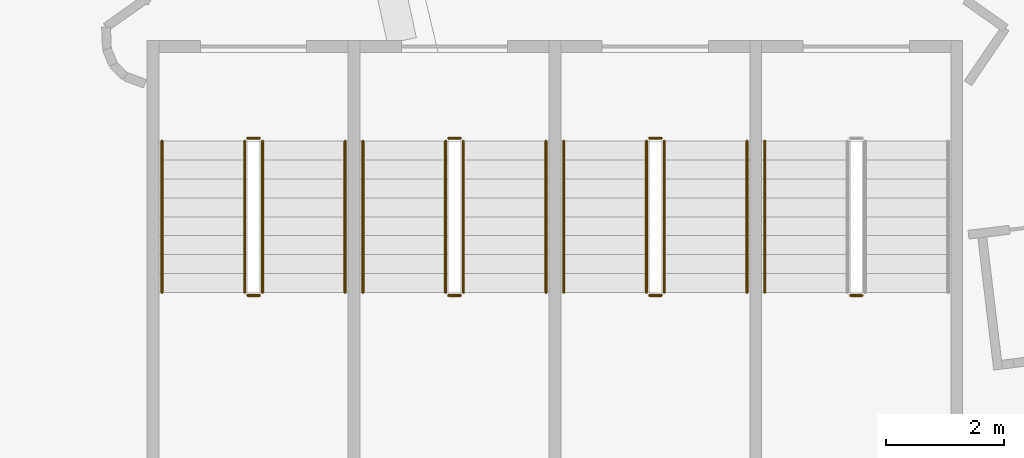
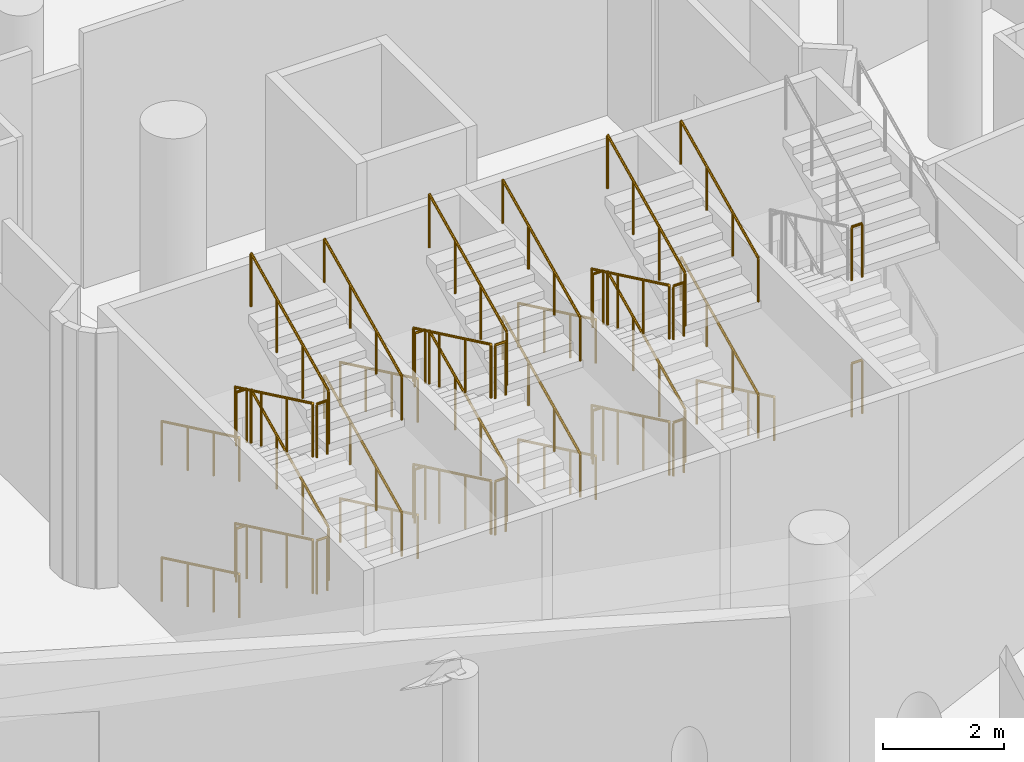
# One storey, part 237 of 271: 39 railings.
"""IFC4 building model written with IfcOpenShell, lengths in metres."""

from ifc_helpers import new_model, si_unit, direction, frame, origin, origin_2d, place, context, subcontext, project, spatial, circle, extrude, material, type_object, element, save


model = new_model("IFC4")

# Units and contexts
model_context = context("Model", 3, precision=1e-05, world=origin(), true_north=direction((0.0, 1.0)))
body_context = subcontext(model_context, "Body", "Model", "MODEL_VIEW")
ifc_project = project(units=[si_unit("LENGTHUNIT", "METRE"), si_unit("AREAUNIT", "SQUARE_METRE"), si_unit("VOLUMEUNIT", "CUBIC_METRE"), si_unit("PLANEANGLEUNIT", "RADIAN"), si_unit("MASSUNIT", "GRAM", prefix="KILO")], contexts=[model_context])

# Site, building, storey
site_placement = place(None, origin())
site = spatial("IfcSite", under=ifc_project, at=site_placement, CompositionType="ELEMENT")
building_placement = place(site_placement, origin())
building = spatial("IfcBuilding", under=site, at=building_placement, Name="Meseta Stadium", CompositionType="ELEMENT")
storey_placement = place(building_placement, frame((0.0, 0.0, 6.5)))
storey = spatial("IfcBuildingStorey", under=building, at=storey_placement, Name="L01", CompositionType="ELEMENT", Elevation=6.5)

# Railings
ifc_material_1 = material(Name="Steel S355", Category="steel")
railing_type_1 = type_object("IfcRailingType", Name="Stair guard 1100", PredefinedType="GUARDRAIL", material=ifc_material_1)
railing_1_placement = place(storey_placement, frame((17.75, -95.199951171875, 0.15283203125)))
element("IfcRailing", 1, at=railing_1_placement, inside=storey, type_object=railing_type_1, Name="ST97 L01 guard 1", PredefinedType="GUARDRAIL", context=body_context, shape_type="SweptSolid", body=[
    extrude(circle(Radius=0.02392578125, at=origin_2d()), frame((0.0, 0.0, 1.076171875), z_axis=(0.0, -0.902436934422, 0.430821981091), x_axis=(1.0, 0.0, 0.0)), (0.0, 0.0, 1.0), 2.8369140625),
    extrude(circle(Radius=0.02099609375, at=origin_2d()), origin(), (0.0, 0.0, 1.0), 1.052001953125),
    extrude(circle(Radius=0.02099609375, at=origin_2d()), frame((0.0, -0.853271484375, 0.407470703125)), (0.0, 0.0, 1.0), 1.052001953125),
    extrude(circle(Radius=0.02099609375, at=origin_2d()), frame((0.0, -1.706787109375, 0.814697265625)), (0.0, 0.0, 1.0), 1.052001953125),
    extrude(circle(Radius=0.02099609375, at=origin_2d()), frame((0.0, -2.56005859375, 1.22216796875)), (0.0, 0.0, 1.0), 1.052001953125),
])
railing_2_placement = place(storey_placement, frame((17.800048828125, -97.81005859375, 1.375)))
element("IfcRailing", 2, at=railing_2_placement, inside=storey, type_object=railing_type_1, Name="ST97 L01 guard 2", PredefinedType="GUARDRAIL", context=body_context, shape_type="SweptSolid", body=[
    extrude(circle(Radius=0.02392578125, at=origin_2d()), frame((0.0, 0.0, 1.076171875), z_axis=(1.0, 0.0, 0.0), x_axis=(0.0, 1.0, 0.0)), (0.0, 0.0, 1.0), 0.199951171875),
    extrude(circle(Radius=0.02099609375, at=origin_2d()), origin(), (0.0, 0.0, 1.0), 1.052001953125),
    extrude(circle(Radius=0.02099609375, at=origin_2d()), frame((0.199951171875, 0.0, 0.0)), (0.0, 0.0, 1.0), 1.052001953125),
])
railing_3_placement = place(storey_placement, frame((18.050048828125, -97.760009765625, 1.52783203125)))
element("IfcRailing", 3, at=railing_3_placement, inside=storey, type_object=railing_type_1, Name="ST97 L01 guard 3", PredefinedType="GUARDRAIL", context=body_context, shape_type="SweptSolid", body=[
    extrude(circle(Radius=0.02392578125, at=origin_2d()), frame((0.0, 0.0, 1.076171875), z_axis=(0.0, 0.902436934422, 0.430821981091), x_axis=(-1.0, 0.0, 0.0)), (0.0, 0.0, 1.0), 2.8369140625),
    extrude(circle(Radius=0.02099609375, at=origin_2d()), origin(), (0.0, 0.0, 1.0), 1.052001953125),
    extrude(circle(Radius=0.02099609375, at=origin_2d()), frame((0.0, 0.853271484375, 0.407470703125)), (0.0, 0.0, 1.0), 1.052001953125),
    extrude(circle(Radius=0.02099609375, at=origin_2d()), frame((0.0, 1.706787109375, 0.814697265625)), (0.0, 0.0, 1.0), 1.052001953125),
    extrude(circle(Radius=0.02099609375, at=origin_2d()), frame((0.0, 2.56005859375, 1.22216796875)), (0.0, 0.0, 1.0), 1.052001953125),
])
railing_4_placement = place(storey_placement, frame((17.800048828125, -95.14990234375, 2.75)))
element("IfcRailing", 4, at=railing_4_placement, inside=storey, type_object=railing_type_1, Name="ST97 L01 guard 4", PredefinedType="GUARDRAIL", context=body_context, shape_type="SweptSolid", body=[
    extrude(circle(Radius=0.02392578125, at=origin_2d()), frame((0.0, 0.0, 1.076171875), z_axis=(1.0, 0.0, 0.0), x_axis=(0.0, 1.0, 0.0)), (0.0, 0.0, 1.0), 0.199951171875),
    extrude(circle(Radius=0.02099609375, at=origin_2d()), origin(), (0.0, 0.0, 1.0), 1.052001953125),
    extrude(circle(Radius=0.02099609375, at=origin_2d()), frame((0.199951171875, 0.0, 0.0)), (0.0, 0.0, 1.0), 1.052001953125),
])
railing_5_placement = place(storey_placement, frame((17.75, -95.199951171875, 2.90283203125)))
element("IfcRailing", 5, at=railing_5_placement, inside=storey, type_object=railing_type_1, Name="ST97 L01 guard 5", PredefinedType="GUARDRAIL", context=body_context, shape_type="SweptSolid", body=[
    extrude(circle(Radius=0.02392578125, at=origin_2d()), frame((0.0, 0.0, 1.076171875), z_axis=(0.0, -0.902436934422, 0.430821981091), x_axis=(1.0, 0.0, 0.0)), (0.0, 0.0, 1.0), 2.8369140625),
    extrude(circle(Radius=0.02099609375, at=origin_2d()), origin(), (0.0, 0.0, 1.0), 1.052001953125),
    extrude(circle(Radius=0.02099609375, at=origin_2d()), frame((0.0, -0.853271484375, 0.407470703125)), (0.0, 0.0, 1.0), 1.052001953125),
    extrude(circle(Radius=0.02099609375, at=origin_2d()), frame((0.0, -1.706787109375, 0.814697265625)), (0.0, 0.0, 1.0), 1.052001953125),
    extrude(circle(Radius=0.02099609375, at=origin_2d()), frame((0.0, -2.56005859375, 1.22216796875)), (0.0, 0.0, 1.0), 1.052001953125),
])
railing_6_placement = place(storey_placement, frame((17.800048828125, -97.81005859375, 4.125)))
element("IfcRailing", 6, at=railing_6_placement, inside=storey, type_object=railing_type_1, Name="ST97 L01 guard 6", PredefinedType="GUARDRAIL", context=body_context, shape_type="SweptSolid", body=[
    extrude(circle(Radius=0.02392578125, at=origin_2d()), frame((0.0, 0.0, 1.076171875), z_axis=(1.0, 0.0, 0.0), x_axis=(0.0, 1.0, 0.0)), (0.0, 0.0, 1.0), 0.199951171875),
    extrude(circle(Radius=0.02099609375, at=origin_2d()), origin(), (0.0, 0.0, 1.0), 1.052001953125),
    extrude(circle(Radius=0.02099609375, at=origin_2d()), frame((0.199951171875, 0.0, 0.0)), (0.0, 0.0, 1.0), 1.052001953125),
])
railing_7_placement = place(storey_placement, frame((18.050048828125, -97.760009765625, 4.27783203125)))
element("IfcRailing", 7, at=railing_7_placement, inside=storey, type_object=railing_type_1, Name="ST97 L01 guard 7", PredefinedType="GUARDRAIL", context=body_context, shape_type="SweptSolid", body=[
    extrude(circle(Radius=0.02392578125, at=origin_2d()), frame((0.0, 0.0, 1.076171875), z_axis=(0.0, 0.902436934422, 0.430821981091), x_axis=(-1.0, 0.0, 0.0)), (0.0, 0.0, 1.0), 2.8369140625),
    extrude(circle(Radius=0.02099609375, at=origin_2d()), origin(), (0.0, 0.0, 1.0), 1.052001953125),
    extrude(circle(Radius=0.02099609375, at=origin_2d()), frame((0.0, 0.853271484375, 0.407470703125)), (0.0, 0.0, 1.0), 1.052001953125),
    extrude(circle(Radius=0.02099609375, at=origin_2d()), frame((0.0, 1.706787109375, 0.814697265625)), (0.0, 0.0, 1.0), 1.052001953125),
    extrude(circle(Radius=0.02099609375, at=origin_2d()), frame((0.0, 2.56005859375, 1.22216796875)), (0.0, 0.0, 1.0), 1.052001953125),
])
railing_8_placement = place(storey_placement, frame((17.800048828125, -95.14990234375, 0.0)))
element("IfcRailing", 8, at=railing_8_placement, inside=storey, type_object=railing_type_1, Name="ST97 L01 guard 8", PredefinedType="GUARDRAIL", context=body_context, shape_type="SweptSolid", body=[
    extrude(circle(Radius=0.02392578125, at=origin_2d()), frame((0.0, 0.0, 1.076171875), z_axis=(1.0, 0.0, 0.0), x_axis=(0.0, 1.0, 0.0)), (0.0, 0.0, 1.0), 0.199951171875),
    extrude(circle(Radius=0.02099609375, at=origin_2d()), origin(), (0.0, 0.0, 1.0), 1.052001953125),
    extrude(circle(Radius=0.02099609375, at=origin_2d()), frame((0.199951171875, 0.0, 0.0)), (0.0, 0.0, 1.0), 1.052001953125),
])
railing_9_placement = place(storey_placement, frame((21.14990234375, -95.199951171875, 0.15283203125)))
element("IfcRailing", 9, at=railing_9_placement, inside=storey, type_object=railing_type_1, Name="ST98 L01 guard 1", PredefinedType="GUARDRAIL", context=body_context, shape_type="SweptSolid", body=[
    extrude(circle(Radius=0.02392578125, at=origin_2d()), frame((0.0, 0.0, 1.076171875), z_axis=(0.0, -0.902436934422, 0.430821981091), x_axis=(1.0, 0.0, 0.0)), (0.0, 0.0, 1.0), 2.8369140625),
    extrude(circle(Radius=0.02099609375, at=origin_2d()), origin(), (0.0, 0.0, 1.0), 1.052001953125),
    extrude(circle(Radius=0.02099609375, at=origin_2d()), frame((0.0, -0.853271484375, 0.407470703125)), (0.0, 0.0, 1.0), 1.052001953125),
    extrude(circle(Radius=0.02099609375, at=origin_2d()), frame((0.0, -1.706787109375, 0.814697265625)), (0.0, 0.0, 1.0), 1.052001953125),
    extrude(circle(Radius=0.02099609375, at=origin_2d()), frame((0.0, -2.56005859375, 1.22216796875)), (0.0, 0.0, 1.0), 1.052001953125),
])
railing_10_placement = place(storey_placement, frame((21.199951171875, -97.81005859375, 1.375)))
element("IfcRailing", 10, at=railing_10_placement, inside=storey, type_object=railing_type_1, Name="ST98 L01 guard 2", PredefinedType="GUARDRAIL", context=body_context, shape_type="SweptSolid", body=[
    extrude(circle(Radius=0.02392578125, at=origin_2d()), frame((0.0, 0.0, 1.076171875), z_axis=(1.0, 0.0, 0.0), x_axis=(0.0, 1.0, 0.0)), (0.0, 0.0, 1.0), 0.199951171875),
    extrude(circle(Radius=0.02099609375, at=origin_2d()), origin(), (0.0, 0.0, 1.0), 1.052001953125),
    extrude(circle(Radius=0.02099609375, at=origin_2d()), frame((0.199951171875, 0.0, 0.0)), (0.0, 0.0, 1.0), 1.052001953125),
])
railing_11_placement = place(storey_placement, frame((21.449951171875, -97.760009765625, 1.52783203125)))
element("IfcRailing", 11, at=railing_11_placement, inside=storey, type_object=railing_type_1, Name="ST98 L01 guard 3", PredefinedType="GUARDRAIL", context=body_context, shape_type="SweptSolid", body=[
    extrude(circle(Radius=0.02392578125, at=origin_2d()), frame((0.0, 0.0, 1.076171875), z_axis=(0.0, 0.902436934422, 0.430821981091), x_axis=(-1.0, 0.0, 0.0)), (0.0, 0.0, 1.0), 2.8369140625),
    extrude(circle(Radius=0.02099609375, at=origin_2d()), origin(), (0.0, 0.0, 1.0), 1.052001953125),
    extrude(circle(Radius=0.02099609375, at=origin_2d()), frame((0.0, 0.853271484375, 0.407470703125)), (0.0, 0.0, 1.0), 1.052001953125),
    extrude(circle(Radius=0.02099609375, at=origin_2d()), frame((0.0, 1.706787109375, 0.814697265625)), (0.0, 0.0, 1.0), 1.052001953125),
    extrude(circle(Radius=0.02099609375, at=origin_2d()), frame((0.0, 2.56005859375, 1.22216796875)), (0.0, 0.0, 1.0), 1.052001953125),
])
railing_12_placement = place(storey_placement, frame((21.199951171875, -95.14990234375, 2.75)))
element("IfcRailing", 12, at=railing_12_placement, inside=storey, type_object=railing_type_1, Name="ST98 L01 guard 4", PredefinedType="GUARDRAIL", context=body_context, shape_type="SweptSolid", body=[
    extrude(circle(Radius=0.02392578125, at=origin_2d()), frame((0.0, 0.0, 1.076171875), z_axis=(1.0, 0.0, 0.0), x_axis=(0.0, 1.0, 0.0)), (0.0, 0.0, 1.0), 0.199951171875),
    extrude(circle(Radius=0.02099609375, at=origin_2d()), origin(), (0.0, 0.0, 1.0), 1.052001953125),
    extrude(circle(Radius=0.02099609375, at=origin_2d()), frame((0.199951171875, 0.0, 0.0)), (0.0, 0.0, 1.0), 1.052001953125),
])
railing_13_placement = place(storey_placement, frame((21.14990234375, -95.199951171875, 2.90283203125)))
element("IfcRailing", 13, at=railing_13_placement, inside=storey, type_object=railing_type_1, Name="ST98 L01 guard 5", PredefinedType="GUARDRAIL", context=body_context, shape_type="SweptSolid", body=[
    extrude(circle(Radius=0.02392578125, at=origin_2d()), frame((0.0, 0.0, 1.076171875), z_axis=(0.0, -0.902436934422, 0.430821981091), x_axis=(1.0, 0.0, 0.0)), (0.0, 0.0, 1.0), 2.8369140625),
    extrude(circle(Radius=0.02099609375, at=origin_2d()), origin(), (0.0, 0.0, 1.0), 1.052001953125),
    extrude(circle(Radius=0.02099609375, at=origin_2d()), frame((0.0, -0.853271484375, 0.407470703125)), (0.0, 0.0, 1.0), 1.052001953125),
    extrude(circle(Radius=0.02099609375, at=origin_2d()), frame((0.0, -1.706787109375, 0.814697265625)), (0.0, 0.0, 1.0), 1.052001953125),
    extrude(circle(Radius=0.02099609375, at=origin_2d()), frame((0.0, -2.56005859375, 1.22216796875)), (0.0, 0.0, 1.0), 1.052001953125),
])
railing_14_placement = place(storey_placement, frame((21.199951171875, -97.81005859375, 4.125)))
element("IfcRailing", 14, at=railing_14_placement, inside=storey, type_object=railing_type_1, Name="ST98 L01 guard 6", PredefinedType="GUARDRAIL", context=body_context, shape_type="SweptSolid", body=[
    extrude(circle(Radius=0.02392578125, at=origin_2d()), frame((0.0, 0.0, 1.076171875), z_axis=(1.0, 0.0, 0.0), x_axis=(0.0, 1.0, 0.0)), (0.0, 0.0, 1.0), 0.199951171875),
    extrude(circle(Radius=0.02099609375, at=origin_2d()), origin(), (0.0, 0.0, 1.0), 1.052001953125),
    extrude(circle(Radius=0.02099609375, at=origin_2d()), frame((0.199951171875, 0.0, 0.0)), (0.0, 0.0, 1.0), 1.052001953125),
])
railing_15_placement = place(storey_placement, frame((21.449951171875, -97.760009765625, 4.27783203125)))
element("IfcRailing", 15, at=railing_15_placement, inside=storey, type_object=railing_type_1, Name="ST98 L01 guard 7", PredefinedType="GUARDRAIL", context=body_context, shape_type="SweptSolid", body=[
    extrude(circle(Radius=0.02392578125, at=origin_2d()), frame((0.0, 0.0, 1.076171875), z_axis=(0.0, 0.902436934422, 0.430821981091), x_axis=(-1.0, 0.0, 0.0)), (0.0, 0.0, 1.0), 2.8369140625),
    extrude(circle(Radius=0.02099609375, at=origin_2d()), origin(), (0.0, 0.0, 1.0), 1.052001953125),
    extrude(circle(Radius=0.02099609375, at=origin_2d()), frame((0.0, 0.853271484375, 0.407470703125)), (0.0, 0.0, 1.0), 1.052001953125),
    extrude(circle(Radius=0.02099609375, at=origin_2d()), frame((0.0, 1.706787109375, 0.814697265625)), (0.0, 0.0, 1.0), 1.052001953125),
    extrude(circle(Radius=0.02099609375, at=origin_2d()), frame((0.0, 2.56005859375, 1.22216796875)), (0.0, 0.0, 1.0), 1.052001953125),
])
railing_16_placement = place(storey_placement, frame((21.199951171875, -95.14990234375, 0.0)))
element("IfcRailing", 16, at=railing_16_placement, inside=storey, type_object=railing_type_1, Name="ST98 L01 guard 8", PredefinedType="GUARDRAIL", context=body_context, shape_type="SweptSolid", body=[
    extrude(circle(Radius=0.02392578125, at=origin_2d()), frame((0.0, 0.0, 1.076171875), z_axis=(1.0, 0.0, 0.0), x_axis=(0.0, 1.0, 0.0)), (0.0, 0.0, 1.0), 0.199951171875),
    extrude(circle(Radius=0.02099609375, at=origin_2d()), origin(), (0.0, 0.0, 1.0), 1.052001953125),
    extrude(circle(Radius=0.02099609375, at=origin_2d()), frame((0.199951171875, 0.0, 0.0)), (0.0, 0.0, 1.0), 1.052001953125),
])
railing_17_placement = place(storey_placement, frame((24.550048828125, -95.199951171875, 0.15283203125)))
element("IfcRailing", 17, at=railing_17_placement, inside=storey, type_object=railing_type_1, Name="ST99 L01 guard 1", PredefinedType="GUARDRAIL", context=body_context, shape_type="SweptSolid", body=[
    extrude(circle(Radius=0.02392578125, at=origin_2d()), frame((0.0, 0.0, 1.076171875), z_axis=(0.0, -0.902436934422, 0.430821981091), x_axis=(1.0, 0.0, 0.0)), (0.0, 0.0, 1.0), 2.8369140625),
    extrude(circle(Radius=0.02099609375, at=origin_2d()), origin(), (0.0, 0.0, 1.0), 1.052001953125),
    extrude(circle(Radius=0.02099609375, at=origin_2d()), frame((0.0, -0.853271484375, 0.407470703125)), (0.0, 0.0, 1.0), 1.052001953125),
    extrude(circle(Radius=0.02099609375, at=origin_2d()), frame((0.0, -1.706787109375, 0.814697265625)), (0.0, 0.0, 1.0), 1.052001953125),
    extrude(circle(Radius=0.02099609375, at=origin_2d()), frame((0.0, -2.56005859375, 1.22216796875)), (0.0, 0.0, 1.0), 1.052001953125),
])
railing_18_placement = place(storey_placement, frame((24.60009765625, -97.81005859375, 1.375)))
element("IfcRailing", 18, at=railing_18_placement, inside=storey, type_object=railing_type_1, Name="ST99 L01 guard 2", PredefinedType="GUARDRAIL", context=body_context, shape_type="SweptSolid", body=[
    extrude(circle(Radius=0.02392578125, at=origin_2d()), frame((0.0, 0.0, 1.076171875), z_axis=(1.0, 0.0, 0.0), x_axis=(0.0, 1.0, 0.0)), (0.0, 0.0, 1.0), 0.199951171875),
    extrude(circle(Radius=0.02099609375, at=origin_2d()), origin(), (0.0, 0.0, 1.0), 1.052001953125),
    extrude(circle(Radius=0.02099609375, at=origin_2d()), frame((0.199951171875, 0.0, 0.0)), (0.0, 0.0, 1.0), 1.052001953125),
])
railing_19_placement = place(storey_placement, frame((24.85009765625, -97.760009765625, 1.52783203125)))
element("IfcRailing", 19, at=railing_19_placement, inside=storey, type_object=railing_type_1, Name="ST99 L01 guard 3", PredefinedType="GUARDRAIL", context=body_context, shape_type="SweptSolid", body=[
    extrude(circle(Radius=0.02392578125, at=origin_2d()), frame((0.0, 0.0, 1.076171875), z_axis=(0.0, 0.902436934422, 0.430821981091), x_axis=(-1.0, 0.0, 0.0)), (0.0, 0.0, 1.0), 2.8369140625),
    extrude(circle(Radius=0.02099609375, at=origin_2d()), origin(), (0.0, 0.0, 1.0), 1.052001953125),
    extrude(circle(Radius=0.02099609375, at=origin_2d()), frame((0.0, 0.853271484375, 0.407470703125)), (0.0, 0.0, 1.0), 1.052001953125),
    extrude(circle(Radius=0.02099609375, at=origin_2d()), frame((0.0, 1.706787109375, 0.814697265625)), (0.0, 0.0, 1.0), 1.052001953125),
    extrude(circle(Radius=0.02099609375, at=origin_2d()), frame((0.0, 2.56005859375, 1.22216796875)), (0.0, 0.0, 1.0), 1.052001953125),
])
railing_20_placement = place(storey_placement, frame((24.60009765625, -95.14990234375, 2.75)))
element("IfcRailing", 20, at=railing_20_placement, inside=storey, type_object=railing_type_1, Name="ST99 L01 guard 4", PredefinedType="GUARDRAIL", context=body_context, shape_type="SweptSolid", body=[
    extrude(circle(Radius=0.02392578125, at=origin_2d()), frame((0.0, 0.0, 1.076171875), z_axis=(1.0, 0.0, 0.0), x_axis=(0.0, 1.0, 0.0)), (0.0, 0.0, 1.0), 0.199951171875),
    extrude(circle(Radius=0.02099609375, at=origin_2d()), origin(), (0.0, 0.0, 1.0), 1.052001953125),
    extrude(circle(Radius=0.02099609375, at=origin_2d()), frame((0.199951171875, 0.0, 0.0)), (0.0, 0.0, 1.0), 1.052001953125),
])
railing_21_placement = place(storey_placement, frame((24.550048828125, -95.199951171875, 2.90283203125)))
element("IfcRailing", 21, at=railing_21_placement, inside=storey, type_object=railing_type_1, Name="ST99 L01 guard 5", PredefinedType="GUARDRAIL", context=body_context, shape_type="SweptSolid", body=[
    extrude(circle(Radius=0.02392578125, at=origin_2d()), frame((0.0, 0.0, 1.076171875), z_axis=(0.0, -0.902436934422, 0.430821981091), x_axis=(1.0, 0.0, 0.0)), (0.0, 0.0, 1.0), 2.8369140625),
    extrude(circle(Radius=0.02099609375, at=origin_2d()), origin(), (0.0, 0.0, 1.0), 1.052001953125),
    extrude(circle(Radius=0.02099609375, at=origin_2d()), frame((0.0, -0.853271484375, 0.407470703125)), (0.0, 0.0, 1.0), 1.052001953125),
    extrude(circle(Radius=0.02099609375, at=origin_2d()), frame((0.0, -1.706787109375, 0.814697265625)), (0.0, 0.0, 1.0), 1.052001953125),
    extrude(circle(Radius=0.02099609375, at=origin_2d()), frame((0.0, -2.56005859375, 1.22216796875)), (0.0, 0.0, 1.0), 1.052001953125),
])
railing_22_placement = place(storey_placement, frame((24.60009765625, -97.81005859375, 4.125)))
element("IfcRailing", 22, at=railing_22_placement, inside=storey, type_object=railing_type_1, Name="ST99 L01 guard 6", PredefinedType="GUARDRAIL", context=body_context, shape_type="SweptSolid", body=[
    extrude(circle(Radius=0.02392578125, at=origin_2d()), frame((0.0, 0.0, 1.076171875), z_axis=(1.0, 0.0, 0.0), x_axis=(0.0, 1.0, 0.0)), (0.0, 0.0, 1.0), 0.199951171875),
    extrude(circle(Radius=0.02099609375, at=origin_2d()), origin(), (0.0, 0.0, 1.0), 1.052001953125),
    extrude(circle(Radius=0.02099609375, at=origin_2d()), frame((0.199951171875, 0.0, 0.0)), (0.0, 0.0, 1.0), 1.052001953125),
])
railing_23_placement = place(storey_placement, frame((24.85009765625, -97.760009765625, 4.27783203125)))
element("IfcRailing", 23, at=railing_23_placement, inside=storey, type_object=railing_type_1, Name="ST99 L01 guard 7", PredefinedType="GUARDRAIL", context=body_context, shape_type="SweptSolid", body=[
    extrude(circle(Radius=0.02392578125, at=origin_2d()), frame((0.0, 0.0, 1.076171875), z_axis=(0.0, 0.902436934422, 0.430821981091), x_axis=(-1.0, 0.0, 0.0)), (0.0, 0.0, 1.0), 2.8369140625),
    extrude(circle(Radius=0.02099609375, at=origin_2d()), origin(), (0.0, 0.0, 1.0), 1.052001953125),
    extrude(circle(Radius=0.02099609375, at=origin_2d()), frame((0.0, 0.853271484375, 0.407470703125)), (0.0, 0.0, 1.0), 1.052001953125),
    extrude(circle(Radius=0.02099609375, at=origin_2d()), frame((0.0, 1.706787109375, 0.814697265625)), (0.0, 0.0, 1.0), 1.052001953125),
    extrude(circle(Radius=0.02099609375, at=origin_2d()), frame((0.0, 2.56005859375, 1.22216796875)), (0.0, 0.0, 1.0), 1.052001953125),
])
for number, where, name in (
    (24, (24.60009765625, -95.14990234375, 0.0), "ST99 L01 guard 8"),
    (25, (28.0, -97.81005859375, 1.375), "ST100 L01 guard 2"),
    (26, (28.0, -97.81005859375, 4.125), "ST100 L01 guard 6"),
):
    element("IfcRailing", number, at=place(storey_placement, frame(where)), inside=storey, type_object=railing_type_1, Name=name, PredefinedType="GUARDRAIL", context=body_context, shape_type="SweptSolid", body=[
        extrude(circle(Radius=0.02392578125, at=origin_2d()), frame((0.0, 0.0, 1.076171875), z_axis=(1.0, 0.0, 0.0), x_axis=(0.0, 1.0, 0.0)), (0.0, 0.0, 1.0), 0.199951171875),
        extrude(circle(Radius=0.02099609375, at=origin_2d()), origin(), (0.0, 0.0, 1.0), 1.052001953125),
        extrude(circle(Radius=0.02099609375, at=origin_2d()), frame((0.199951171875, 0.0, 0.0)), (0.0, 0.0, 1.0), 1.052001953125),
    ])
ifc_material_2 = material(Name="Steel S355", Category="steel")
railing_type_2 = type_object("IfcRailingType", Name="Stair handrail 900", PredefinedType="HANDRAIL", material=ifc_material_2)
railing_24_placement = place(storey_placement, frame((16.35009765625, -95.199951171875, 0.15283203125)))
element("IfcRailing", 27, at=railing_24_placement, inside=storey, type_object=railing_type_2, Name="ST97 L01 handrail 1", PredefinedType="HANDRAIL", context=body_context, shape_type="SweptSolid", body=[
    extrude(circle(Radius=0.02392578125, at=origin_2d()), frame((0.0, 0.0, 0.8759765625), z_axis=(0.0, -0.902436934422, 0.430821981091), x_axis=(1.0, 0.0, 0.0)), (0.0, 0.0, 1.0), 2.8369140625),
    extrude(circle(Radius=0.02099609375, at=origin_2d()), origin(), (0.0, 0.0, 1.0), 0.851806640625),
    extrude(circle(Radius=0.02099609375, at=origin_2d()), frame((0.0, -0.853271484375, 0.407470703125)), (0.0, 0.0, 1.0), 0.851806640625),
    extrude(circle(Radius=0.02099609375, at=origin_2d()), frame((0.0, -1.706787109375, 0.814697265625)), (0.0, 0.0, 1.0), 0.851806640625),
    extrude(circle(Radius=0.02099609375, at=origin_2d()), frame((0.0, -2.56005859375, 1.22216796875)), (0.0, 0.0, 1.0), 0.851806640625),
])
railing_25_placement = place(storey_placement, frame((19.449951171875, -97.760009765625, 1.52783203125)))
element("IfcRailing", 28, at=railing_25_placement, inside=storey, type_object=railing_type_2, Name="ST97 L01 handrail 2", PredefinedType="HANDRAIL", context=body_context, shape_type="SweptSolid", body=[
    extrude(circle(Radius=0.02392578125, at=origin_2d()), frame((0.0, 0.0, 0.8759765625), z_axis=(0.0, 0.902436934422, 0.430821981091), x_axis=(-1.0, 0.0, 0.0)), (0.0, 0.0, 1.0), 2.8369140625),
    extrude(circle(Radius=0.02099609375, at=origin_2d()), origin(), (0.0, 0.0, 1.0), 0.851806640625),
    extrude(circle(Radius=0.02099609375, at=origin_2d()), frame((0.0, 0.853271484375, 0.407470703125)), (0.0, 0.0, 1.0), 0.851806640625),
    extrude(circle(Radius=0.02099609375, at=origin_2d()), frame((0.0, 1.706787109375, 0.814697265625)), (0.0, 0.0, 1.0), 0.851806640625),
    extrude(circle(Radius=0.02099609375, at=origin_2d()), frame((0.0, 2.56005859375, 1.22216796875)), (0.0, 0.0, 1.0), 0.851806640625),
])
railing_26_placement = place(storey_placement, frame((16.35009765625, -95.199951171875, 2.90283203125)))
element("IfcRailing", 29, at=railing_26_placement, inside=storey, type_object=railing_type_2, Name="ST97 L01 handrail 3", PredefinedType="HANDRAIL", context=body_context, shape_type="SweptSolid", body=[
    extrude(circle(Radius=0.02392578125, at=origin_2d()), frame((0.0, 0.0, 0.8759765625), z_axis=(0.0, -0.902436934422, 0.430821981091), x_axis=(1.0, 0.0, 0.0)), (0.0, 0.0, 1.0), 2.8369140625),
    extrude(circle(Radius=0.02099609375, at=origin_2d()), origin(), (0.0, 0.0, 1.0), 0.851806640625),
    extrude(circle(Radius=0.02099609375, at=origin_2d()), frame((0.0, -0.853271484375, 0.407470703125)), (0.0, 0.0, 1.0), 0.851806640625),
    extrude(circle(Radius=0.02099609375, at=origin_2d()), frame((0.0, -1.706787109375, 0.814697265625)), (0.0, 0.0, 1.0), 0.851806640625),
    extrude(circle(Radius=0.02099609375, at=origin_2d()), frame((0.0, -2.56005859375, 1.22216796875)), (0.0, 0.0, 1.0), 0.851806640625),
])
railing_27_placement = place(storey_placement, frame((19.449951171875, -97.760009765625, 4.27783203125)))
element("IfcRailing", 30, at=railing_27_placement, inside=storey, type_object=railing_type_2, Name="ST97 L01 handrail 4", PredefinedType="HANDRAIL", context=body_context, shape_type="SweptSolid", body=[
    extrude(circle(Radius=0.02392578125, at=origin_2d()), frame((0.0, 0.0, 0.8759765625), z_axis=(0.0, 0.902436934422, 0.430821981091), x_axis=(-1.0, 0.0, 0.0)), (0.0, 0.0, 1.0), 2.8369140625),
    extrude(circle(Radius=0.02099609375, at=origin_2d()), origin(), (0.0, 0.0, 1.0), 0.851806640625),
    extrude(circle(Radius=0.02099609375, at=origin_2d()), frame((0.0, 0.853271484375, 0.407470703125)), (0.0, 0.0, 1.0), 0.851806640625),
    extrude(circle(Radius=0.02099609375, at=origin_2d()), frame((0.0, 1.706787109375, 0.814697265625)), (0.0, 0.0, 1.0), 0.851806640625),
    extrude(circle(Radius=0.02099609375, at=origin_2d()), frame((0.0, 2.56005859375, 1.22216796875)), (0.0, 0.0, 1.0), 0.851806640625),
])
railing_28_placement = place(storey_placement, frame((19.75, -95.199951171875, 0.15283203125)))
element("IfcRailing", 31, at=railing_28_placement, inside=storey, type_object=railing_type_2, Name="ST98 L01 handrail 1", PredefinedType="HANDRAIL", context=body_context, shape_type="SweptSolid", body=[
    extrude(circle(Radius=0.02392578125, at=origin_2d()), frame((0.0, 0.0, 0.8759765625), z_axis=(0.0, -0.902436934422, 0.430821981091), x_axis=(1.0, 0.0, 0.0)), (0.0, 0.0, 1.0), 2.8369140625),
    extrude(circle(Radius=0.02099609375, at=origin_2d()), origin(), (0.0, 0.0, 1.0), 0.851806640625),
    extrude(circle(Radius=0.02099609375, at=origin_2d()), frame((0.0, -0.853271484375, 0.407470703125)), (0.0, 0.0, 1.0), 0.851806640625),
    extrude(circle(Radius=0.02099609375, at=origin_2d()), frame((0.0, -1.706787109375, 0.814697265625)), (0.0, 0.0, 1.0), 0.851806640625),
    extrude(circle(Radius=0.02099609375, at=origin_2d()), frame((0.0, -2.56005859375, 1.22216796875)), (0.0, 0.0, 1.0), 0.851806640625),
])
railing_29_placement = place(storey_placement, frame((22.85009765625, -97.760009765625, 1.52783203125)))
element("IfcRailing", 32, at=railing_29_placement, inside=storey, type_object=railing_type_2, Name="ST98 L01 handrail 2", PredefinedType="HANDRAIL", context=body_context, shape_type="SweptSolid", body=[
    extrude(circle(Radius=0.02392578125, at=origin_2d()), frame((0.0, 0.0, 0.8759765625), z_axis=(0.0, 0.902436934422, 0.430821981091), x_axis=(-1.0, 0.0, 0.0)), (0.0, 0.0, 1.0), 2.8369140625),
    extrude(circle(Radius=0.02099609375, at=origin_2d()), origin(), (0.0, 0.0, 1.0), 0.851806640625),
    extrude(circle(Radius=0.02099609375, at=origin_2d()), frame((0.0, 0.853271484375, 0.407470703125)), (0.0, 0.0, 1.0), 0.851806640625),
    extrude(circle(Radius=0.02099609375, at=origin_2d()), frame((0.0, 1.706787109375, 0.814697265625)), (0.0, 0.0, 1.0), 0.851806640625),
    extrude(circle(Radius=0.02099609375, at=origin_2d()), frame((0.0, 2.56005859375, 1.22216796875)), (0.0, 0.0, 1.0), 0.851806640625),
])
railing_30_placement = place(storey_placement, frame((19.75, -95.199951171875, 2.90283203125)))
element("IfcRailing", 33, at=railing_30_placement, inside=storey, type_object=railing_type_2, Name="ST98 L01 handrail 3", PredefinedType="HANDRAIL", context=body_context, shape_type="SweptSolid", body=[
    extrude(circle(Radius=0.02392578125, at=origin_2d()), frame((0.0, 0.0, 0.8759765625), z_axis=(0.0, -0.902436934422, 0.430821981091), x_axis=(1.0, 0.0, 0.0)), (0.0, 0.0, 1.0), 2.8369140625),
    extrude(circle(Radius=0.02099609375, at=origin_2d()), origin(), (0.0, 0.0, 1.0), 0.851806640625),
    extrude(circle(Radius=0.02099609375, at=origin_2d()), frame((0.0, -0.853271484375, 0.407470703125)), (0.0, 0.0, 1.0), 0.851806640625),
    extrude(circle(Radius=0.02099609375, at=origin_2d()), frame((0.0, -1.706787109375, 0.814697265625)), (0.0, 0.0, 1.0), 0.851806640625),
    extrude(circle(Radius=0.02099609375, at=origin_2d()), frame((0.0, -2.56005859375, 1.22216796875)), (0.0, 0.0, 1.0), 0.851806640625),
])
railing_31_placement = place(storey_placement, frame((22.85009765625, -97.760009765625, 4.27783203125)))
element("IfcRailing", 34, at=railing_31_placement, inside=storey, type_object=railing_type_2, Name="ST98 L01 handrail 4", PredefinedType="HANDRAIL", context=body_context, shape_type="SweptSolid", body=[
    extrude(circle(Radius=0.02392578125, at=origin_2d()), frame((0.0, 0.0, 0.8759765625), z_axis=(0.0, 0.902436934422, 0.430821981091), x_axis=(-1.0, 0.0, 0.0)), (0.0, 0.0, 1.0), 2.8369140625),
    extrude(circle(Radius=0.02099609375, at=origin_2d()), origin(), (0.0, 0.0, 1.0), 0.851806640625),
    extrude(circle(Radius=0.02099609375, at=origin_2d()), frame((0.0, 0.853271484375, 0.407470703125)), (0.0, 0.0, 1.0), 0.851806640625),
    extrude(circle(Radius=0.02099609375, at=origin_2d()), frame((0.0, 1.706787109375, 0.814697265625)), (0.0, 0.0, 1.0), 0.851806640625),
    extrude(circle(Radius=0.02099609375, at=origin_2d()), frame((0.0, 2.56005859375, 1.22216796875)), (0.0, 0.0, 1.0), 0.851806640625),
])
railing_32_placement = place(storey_placement, frame((23.14990234375, -95.199951171875, 0.15283203125)))
element("IfcRailing", 35, at=railing_32_placement, inside=storey, type_object=railing_type_2, Name="ST99 L01 handrail 1", PredefinedType="HANDRAIL", context=body_context, shape_type="SweptSolid", body=[
    extrude(circle(Radius=0.02392578125, at=origin_2d()), frame((0.0, 0.0, 0.8759765625), z_axis=(0.0, -0.902436934422, 0.430821981091), x_axis=(1.0, 0.0, 0.0)), (0.0, 0.0, 1.0), 2.8369140625),
    extrude(circle(Radius=0.02099609375, at=origin_2d()), origin(), (0.0, 0.0, 1.0), 0.851806640625),
    extrude(circle(Radius=0.02099609375, at=origin_2d()), frame((0.0, -0.853271484375, 0.407470703125)), (0.0, 0.0, 1.0), 0.851806640625),
    extrude(circle(Radius=0.02099609375, at=origin_2d()), frame((0.0, -1.706787109375, 0.814697265625)), (0.0, 0.0, 1.0), 0.851806640625),
    extrude(circle(Radius=0.02099609375, at=origin_2d()), frame((0.0, -2.56005859375, 1.22216796875)), (0.0, 0.0, 1.0), 0.851806640625),
])
railing_33_placement = place(storey_placement, frame((26.25, -97.760009765625, 1.52783203125)))
element("IfcRailing", 36, at=railing_33_placement, inside=storey, type_object=railing_type_2, Name="ST99 L01 handrail 2", PredefinedType="HANDRAIL", context=body_context, shape_type="SweptSolid", body=[
    extrude(circle(Radius=0.02392578125, at=origin_2d()), frame((0.0, 0.0, 0.8759765625), z_axis=(0.0, 0.902436934422, 0.430821981091), x_axis=(-1.0, 0.0, 0.0)), (0.0, 0.0, 1.0), 2.8369140625),
    extrude(circle(Radius=0.02099609375, at=origin_2d()), origin(), (0.0, 0.0, 1.0), 0.851806640625),
    extrude(circle(Radius=0.02099609375, at=origin_2d()), frame((0.0, 0.853271484375, 0.407470703125)), (0.0, 0.0, 1.0), 0.851806640625),
    extrude(circle(Radius=0.02099609375, at=origin_2d()), frame((0.0, 1.706787109375, 0.814697265625)), (0.0, 0.0, 1.0), 0.851806640625),
    extrude(circle(Radius=0.02099609375, at=origin_2d()), frame((0.0, 2.56005859375, 1.22216796875)), (0.0, 0.0, 1.0), 0.851806640625),
])
railing_34_placement = place(storey_placement, frame((23.14990234375, -95.199951171875, 2.90283203125)))
element("IfcRailing", 37, at=railing_34_placement, inside=storey, type_object=railing_type_2, Name="ST99 L01 handrail 3", PredefinedType="HANDRAIL", context=body_context, shape_type="SweptSolid", body=[
    extrude(circle(Radius=0.02392578125, at=origin_2d()), frame((0.0, 0.0, 0.8759765625), z_axis=(0.0, -0.902436934422, 0.430821981091), x_axis=(1.0, 0.0, 0.0)), (0.0, 0.0, 1.0), 2.8369140625),
    extrude(circle(Radius=0.02099609375, at=origin_2d()), origin(), (0.0, 0.0, 1.0), 0.851806640625),
    extrude(circle(Radius=0.02099609375, at=origin_2d()), frame((0.0, -0.853271484375, 0.407470703125)), (0.0, 0.0, 1.0), 0.851806640625),
    extrude(circle(Radius=0.02099609375, at=origin_2d()), frame((0.0, -1.706787109375, 0.814697265625)), (0.0, 0.0, 1.0), 0.851806640625),
    extrude(circle(Radius=0.02099609375, at=origin_2d()), frame((0.0, -2.56005859375, 1.22216796875)), (0.0, 0.0, 1.0), 0.851806640625),
])
railing_35_placement = place(storey_placement, frame((26.25, -97.760009765625, 4.27783203125)))
element("IfcRailing", 38, at=railing_35_placement, inside=storey, type_object=railing_type_2, Name="ST99 L01 handrail 4", PredefinedType="HANDRAIL", context=body_context, shape_type="SweptSolid", body=[
    extrude(circle(Radius=0.02392578125, at=origin_2d()), frame((0.0, 0.0, 0.8759765625), z_axis=(0.0, 0.902436934422, 0.430821981091), x_axis=(-1.0, 0.0, 0.0)), (0.0, 0.0, 1.0), 2.8369140625),
    extrude(circle(Radius=0.02099609375, at=origin_2d()), origin(), (0.0, 0.0, 1.0), 0.851806640625),
    extrude(circle(Radius=0.02099609375, at=origin_2d()), frame((0.0, 0.853271484375, 0.407470703125)), (0.0, 0.0, 1.0), 0.851806640625),
    extrude(circle(Radius=0.02099609375, at=origin_2d()), frame((0.0, 1.706787109375, 0.814697265625)), (0.0, 0.0, 1.0), 0.851806640625),
    extrude(circle(Radius=0.02099609375, at=origin_2d()), frame((0.0, 2.56005859375, 1.22216796875)), (0.0, 0.0, 1.0), 0.851806640625),
])
railing_36_placement = place(storey_placement, frame((26.550048828125, -95.199951171875, 0.15283203125)))
element("IfcRailing", 39, at=railing_36_placement, inside=storey, type_object=railing_type_2, Name="ST100 L01 handrail 1", PredefinedType="HANDRAIL", context=body_context, shape_type="SweptSolid", body=[
    extrude(circle(Radius=0.02392578125, at=origin_2d()), frame((0.0, 0.0, 0.8759765625), z_axis=(0.0, -0.902436934422, 0.430821981091), x_axis=(1.0, 0.0, 0.0)), (0.0, 0.0, 1.0), 2.8369140625),
    extrude(circle(Radius=0.02099609375, at=origin_2d()), origin(), (0.0, 0.0, 1.0), 0.851806640625),
    extrude(circle(Radius=0.02099609375, at=origin_2d()), frame((0.0, -0.853271484375, 0.407470703125)), (0.0, 0.0, 1.0), 0.851806640625),
    extrude(circle(Radius=0.02099609375, at=origin_2d()), frame((0.0, -1.706787109375, 0.814697265625)), (0.0, 0.0, 1.0), 0.851806640625),
    extrude(circle(Radius=0.02099609375, at=origin_2d()), frame((0.0, -2.56005859375, 1.22216796875)), (0.0, 0.0, 1.0), 0.851806640625),
])

save(model, "model.ifc")
